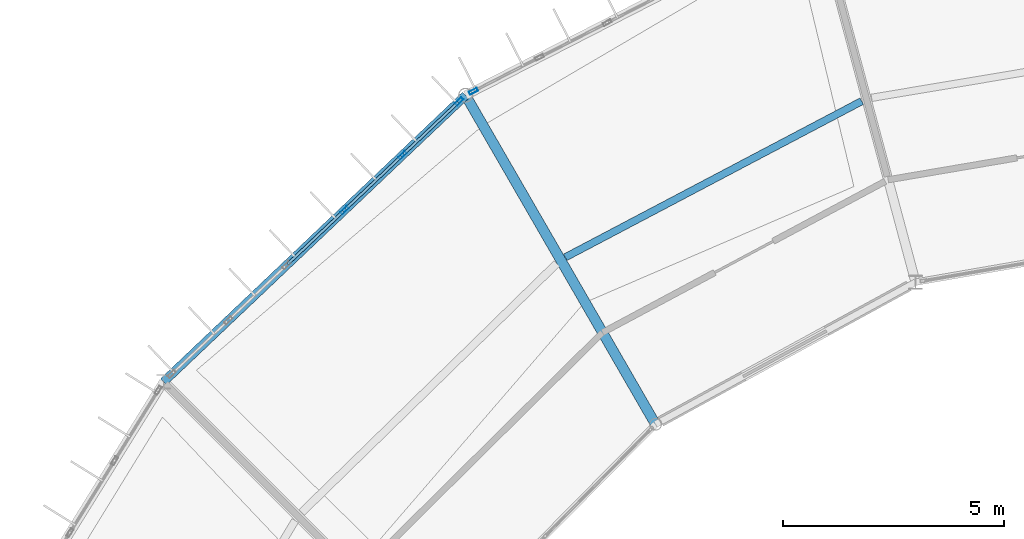
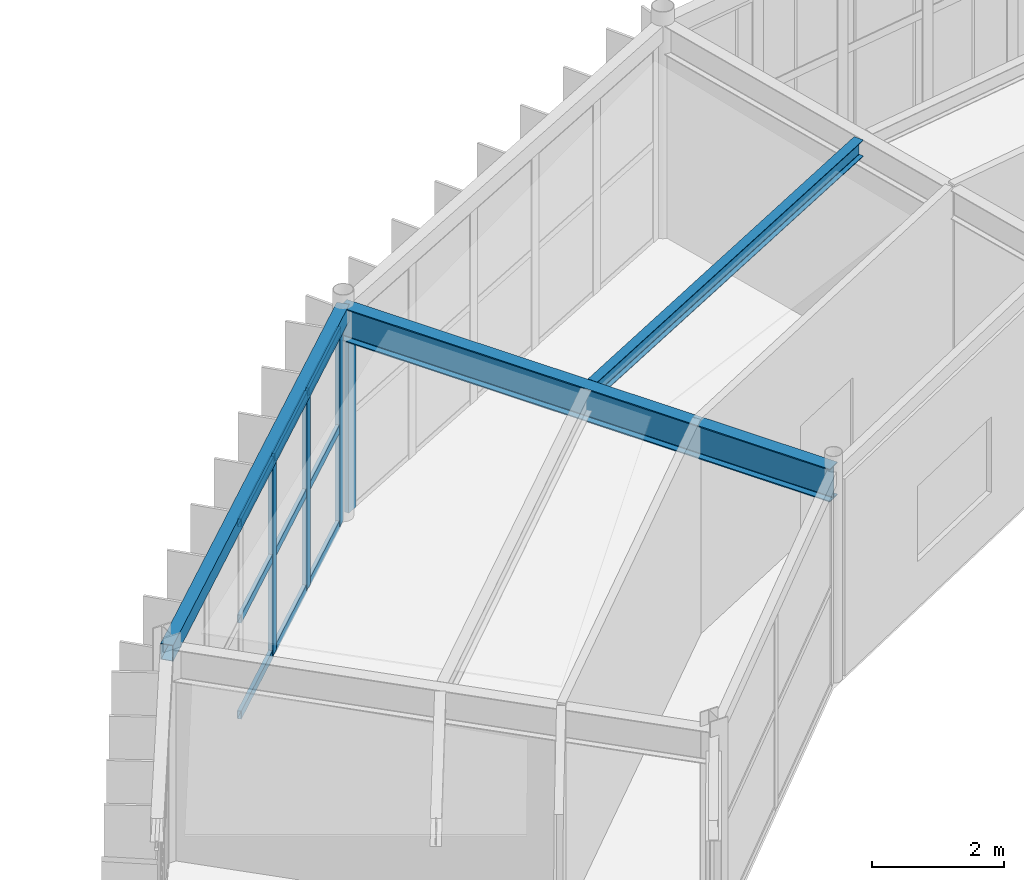
# One storey, part 77 of 148: 13 members, 3 beams, 2 elements without a shape of their own.
"""IFC4 building model written with IfcOpenShell, lengths in metres."""

from ifc_helpers import new_model, si_unit, direction, frame, origin, origin_2d, place, context, subcontext, project, spatial, hollow_rectangle, i_section, extrude, material, material_profile, profile_set, type_object, element, aggregate, save


model = new_model("IFC4")

# Units and contexts
model_context = context("Model", 3, precision=1e-05, world=origin(), true_north=direction((0.0, 1.0)))
body_context = subcontext(model_context, "Body", "Model", "MODEL_VIEW")
ifc_project = project(units=[si_unit("LENGTHUNIT", "METRE"), si_unit("AREAUNIT", "SQUARE_METRE"), si_unit("VOLUMEUNIT", "CUBIC_METRE"), si_unit("PLANEANGLEUNIT", "RADIAN"), si_unit("MASSUNIT", "GRAM", prefix="KILO")], contexts=[model_context])

# Site, building, storey
site_placement = place(None, origin())
site = spatial("IfcSite", under=ifc_project, at=site_placement, CompositionType="ELEMENT")
building_placement = place(site_placement, origin())
building = spatial("IfcBuilding", under=site, at=building_placement, Name="Karori Crest Natural Sciences Institute", CompositionType="ELEMENT")
storey_placement = place(building_placement, frame((0.0, 0.0, 4.89990234375)))
storey = spatial("IfcBuildingStorey", under=building, at=storey_placement, Name="L01", CompositionType="ELEMENT", Elevation=4.89990234375)

# Beams
ifc_material_1 = material(Name="Structural steel AS/NZS 3679.1 Grade 350", Category="steel")
ifc_material_profile_1 = material_profile(ifc_material_1, i_section(OverallWidth=0.22900390625, OverallDepth=0.612060546875, WebThickness=0.011962890625, FlangeThickness=0.01953125, FilletRadius=0.013916015625, at=origin_2d()), Name="610UB125")
ifc_profile_set_1 = profile_set([ifc_material_profile_1], Name="Structural steel AS/NZS 3679.1 Grade 350")
beam_type_1 = type_object("IfcBeamType", Name="BT-04", PredefinedType="BEAM", material=ifc_profile_set_1)
beam_1_placement = place(storey_placement, frame((54.199951171875, 77.785888671875, 3.634033203125), z_axis=(-0.499995216735, 0.866028165386, 0.0), x_axis=(-0.866028165386, -0.499995216735, 0.0)))
element("IfcBeam", 1, at=beam_1_placement, inside=storey, type_object=beam_type_1, Name="Beam B-0213", PredefinedType="BEAM", context=body_context, shape_type="SweptSolid", body=[
    extrude(i_section(OverallWidth=0.22900390625, OverallDepth=0.612060546875, WebThickness=0.011962890625, FlangeThickness=0.01953125, FilletRadius=0.013916015625, at=origin_2d()), origin(), (0.0, 0.0, 1.0), 8.60009765625),
])
ifc_material_profile_2 = material_profile(ifc_material_1, i_section(OverallWidth=0.166015625, OverallDepth=0.306884765625, WebThickness=0.006591796875, FlangeThickness=0.01171875, FilletRadius=0.010986328125, at=origin_2d()), Name="310UB46.2")
ifc_profile_set_2 = profile_set([ifc_material_profile_2], Name="Structural steel AS/NZS 3679.1 Grade 350")
beam_type_2 = type_object("IfcBeamType", Name="BT-09", PredefinedType="BEAM", material=ifc_profile_set_2)
beam_2_placement = place(storey_placement, frame((58.86572265625, 85.100341796875, 3.78662109375), z_axis=(-0.884748465601, -0.466068828197, 0.0), x_axis=(0.466068828197, -0.884748465601, 0.0)))
element("IfcBeam", 2, at=beam_2_placement, inside=storey, type_object=beam_type_2, Name="Beam B-0210", PredefinedType="BEAM", context=body_context, shape_type="SweptSolid", body=[
    extrude(i_section(OverallWidth=0.166015625, OverallDepth=0.306884765625, WebThickness=0.006591796875, FlangeThickness=0.01171875, FilletRadius=0.010986328125, at=origin_2d()), origin(), (0.0, 0.0, 1.0), 7.58349609375),
])
ifc_material_2 = material(Name="Hollow structural steel AS/NZS 1163 Grade C350", Category="steel")
ifc_material_profile_3 = material_profile(ifc_material_2, hollow_rectangle(XDim=0.199951171875, YDim=0.300048828125, WallThickness=0.010009765625, at=origin_2d()), Name="RHS300x200x10")
ifc_profile_set_3 = profile_set([ifc_material_profile_3], Name="Hollow structural steel AS/NZS 1163 Grade C350")
beam_type_3 = type_object("IfcBeamType", Name="BT-15", PredefinedType="SPANDREL", material=ifc_profile_set_3)
beam_3_placement = place(storey_placement, frame((49.89990234375, 85.23388671875, 3.7900390625), z_axis=(-0.72546900706, -0.688254836376, 0.0), x_axis=(0.688254836376, -0.72546900706, 0.0)))
element("IfcBeam", 3, at=beam_3_placement, inside=storey, type_object=beam_type_3, Name="Beam B-0211", PredefinedType="SPANDREL", context=body_context, shape_type="SweptSolid", body=[
    extrude(hollow_rectangle(XDim=0.199951171875, YDim=0.300048828125, WallThickness=0.010009765625, at=origin_2d()), origin(), (0.0, 0.0, 1.0), 9.420654296875),
])

# Curtain wall, member
ifc_material_3 = material(Name="Anodised architectural aluminium 6063-T6", Category="aluminium")
curtain_wall_type_1 = type_object("IfcCurtainWallType", Name="CWT-08", PredefinedType="NOTDEFINED", material=ifc_material_3)
curtain_wall_1_placement = place(storey_placement, origin())
curtain_wall_1 = element("IfcCurtainWall", 4, at=curtain_wall_1_placement, inside=storey, type_object=curtain_wall_type_1, Name="Curtain wall CW-0041", PredefinedType="NOTDEFINED")
ifc_material_profile_4 = material_profile(ifc_material_3, hollow_rectangle(XDim=0.074951171875, YDim=0.199951171875, WallThickness=0.0048828125, at=origin_2d()), Name="CWM200x75x5")
ifc_profile_set_4 = profile_set([ifc_material_profile_4], Name="Anodised architectural aluminium 6063-T6")
member_type_1 = type_object("IfcMemberType", Name="CWM-02", PredefinedType="MULLION", material=ifc_profile_set_4)
member_1_placement = place(storey_placement, frame((50.07568359375, 85.32373046875, 0.0), z_axis=(0.0, 0.0, 1.0), x_axis=(-0.455832988828, 0.890065326982, 0.0)))
member_1 = element("IfcMember", 5, at=member_1_placement, type_object=member_type_1, Name="CW-0041 mullion 1", PredefinedType="MULLION", context=body_context, shape_type="SweptSolid", body=[
    extrude(hollow_rectangle(XDim=0.074951171875, YDim=0.199951171875, WallThickness=0.0048828125, at=origin_2d()), origin(), (0.0, 0.0, 1.0), 3.625),
])
aggregate(curtain_wall_1, [member_1])

# Curtain wall, members
curtain_wall_type_2 = type_object("IfcCurtainWallType", Name="CWT-09", PredefinedType="NOTDEFINED", material=ifc_material_3)
curtain_wall_2_placement = place(storey_placement, origin())
curtain_wall_2 = element("IfcCurtainWall", 6, at=curtain_wall_2_placement, inside=storey, type_object=curtain_wall_type_2, Name="Curtain wall CW-0042", PredefinedType="NOTDEFINED")
member_2_placement = place(storey_placement, frame((47.158203125, 82.632568359375, 0.0), z_axis=(0.0, 0.0, 1.0), x_axis=(-0.688250886925, 0.725472753897, 0.0)))
member_2 = element("IfcMember", 7, at=member_2_placement, type_object=member_type_1, Name="CW-0042 mullion 4", PredefinedType="MULLION", context=body_context, shape_type="SweptSolid", body=[
    extrude(hollow_rectangle(XDim=0.074951171875, YDim=0.199951171875, WallThickness=0.0048828125, at=origin_2d()), origin(), (0.0, 0.0, 1.0), 3.625),
])
member_3_placement = place(storey_placement, frame((48.470947265625, 83.878173828125, 0.0), z_axis=(0.0, 0.0, 1.0), x_axis=(-0.688250886925, 0.725472753897, 0.0)))
member_3 = element("IfcMember", 8, at=member_3_placement, type_object=member_type_1, Name="CW-0042 mullion 5", PredefinedType="MULLION", context=body_context, shape_type="SweptSolid", body=[
    extrude(hollow_rectangle(XDim=0.074951171875, YDim=0.199951171875, WallThickness=0.0048828125, at=origin_2d()), origin(), (0.0, 0.0, 1.0), 3.625),
])
member_4_placement = place(storey_placement, frame((49.756591796875, 85.097900390625, 0.0), z_axis=(0.0, 0.0, 1.0), x_axis=(-0.688250886925, 0.725472753897, 0.0)))
member_4 = element("IfcMember", 9, at=member_4_placement, type_object=member_type_1, Name="CW-0042 mullion 6", PredefinedType="MULLION", context=body_context, shape_type="SweptSolid", body=[
    extrude(hollow_rectangle(XDim=0.074951171875, YDim=0.199951171875, WallThickness=0.0048828125, at=origin_2d()), origin(), (0.0, 0.0, 1.0), 3.625),
])
ifc_material_profile_5 = material_profile(ifc_material_3, hollow_rectangle(XDim=0.06494140625, YDim=0.14990234375, WallThickness=0.00390625, at=origin_2d()), Name="CWT150x65x4")
ifc_profile_set_5 = profile_set([ifc_material_profile_5], Name="Anodised architectural aluminium 6063-T6")
member_type_2 = type_object("IfcMemberType", Name="CWT-TR2", PredefinedType="USERDEFINED", material=ifc_profile_set_5)
member_5_placement = place(storey_placement, frame((45.87255859375, 81.412841796875, 0.03271484375), z_axis=(0.725371797376, 0.688357287731, 0.0), x_axis=(-0.688357287731, 0.725371797376, 0.0)))
member_5 = element("IfcMember", 10, at=member_5_placement, type_object=member_type_2, Name="CW-0042 transom 3.1", ObjectType="TRANSOM", PredefinedType="USERDEFINED", context=body_context, shape_type="SweptSolid", body=[
    extrude(hollow_rectangle(XDim=0.06494140625, YDim=0.14990234375, WallThickness=0.00390625, at=origin_2d()), origin(), (0.0, 0.0, 1.0), 1.734619140625),
])
member_6_placement = place(storey_placement, frame((45.87255859375, 81.412841796875, 1.8125), z_axis=(0.725371797376, 0.688357287731, 0.0), x_axis=(-0.688357287731, 0.725371797376, 0.0)))
member_6 = element("IfcMember", 11, at=member_6_placement, type_object=member_type_2, Name="CW-0042 transom 3.2", ObjectType="TRANSOM", PredefinedType="USERDEFINED", context=body_context, shape_type="SweptSolid", body=[
    extrude(hollow_rectangle(XDim=0.06494140625, YDim=0.14990234375, WallThickness=0.00390625, at=origin_2d()), origin(), (0.0, 0.0, 1.0), 1.734619140625),
])
member_7_placement = place(storey_placement, frame((45.87255859375, 81.412841796875, 3.592529296875), z_axis=(0.725371797376, 0.688357287731, 0.0), x_axis=(-0.688357287731, 0.725371797376, 0.0)))
member_7 = element("IfcMember", 12, at=member_7_placement, type_object=member_type_2, Name="CW-0042 transom 3.3", ObjectType="TRANSOM", PredefinedType="USERDEFINED", context=body_context, shape_type="SweptSolid", body=[
    extrude(hollow_rectangle(XDim=0.06494140625, YDim=0.14990234375, WallThickness=0.00390625, at=origin_2d()), origin(), (0.0, 0.0, 1.0), 1.734619140625),
])
member_8_placement = place(storey_placement, frame((47.185302734375, 82.658447265625, 0.03271484375), z_axis=(0.725508743125, 0.688212949347, 0.0), x_axis=(-0.688212949347, 0.725508743125, 0.0)))
member_8 = element("IfcMember", 13, at=member_8_placement, type_object=member_type_2, Name="CW-0042 transom 4.1", ObjectType="TRANSOM", PredefinedType="USERDEFINED", context=body_context, shape_type="SweptSolid", body=[
    extrude(hollow_rectangle(XDim=0.06494140625, YDim=0.14990234375, WallThickness=0.00390625, at=origin_2d()), origin(), (0.0, 0.0, 1.0), 1.734619140625),
])
member_9_placement = place(storey_placement, frame((47.185302734375, 82.658447265625, 1.8125), z_axis=(0.725508743125, 0.688212949347, 0.0), x_axis=(-0.688212949347, 0.725508743125, 0.0)))
member_9 = element("IfcMember", 14, at=member_9_placement, type_object=member_type_2, Name="CW-0042 transom 4.2", ObjectType="TRANSOM", PredefinedType="USERDEFINED", context=body_context, shape_type="SweptSolid", body=[
    extrude(hollow_rectangle(XDim=0.06494140625, YDim=0.14990234375, WallThickness=0.00390625, at=origin_2d()), origin(), (0.0, 0.0, 1.0), 1.734619140625),
])
member_10_placement = place(storey_placement, frame((47.185302734375, 82.658447265625, 3.592529296875), z_axis=(0.725508743125, 0.688212949347, 0.0), x_axis=(-0.688212949347, 0.725508743125, 0.0)))
member_10 = element("IfcMember", 15, at=member_10_placement, type_object=member_type_2, Name="CW-0042 transom 4.3", ObjectType="TRANSOM", PredefinedType="USERDEFINED", context=body_context, shape_type="SweptSolid", body=[
    extrude(hollow_rectangle(XDim=0.06494140625, YDim=0.14990234375, WallThickness=0.00390625, at=origin_2d()), origin(), (0.0, 0.0, 1.0), 1.734619140625),
])
member_11_placement = place(storey_placement, frame((48.498291015625, 83.904052734375, 0.03271484375), z_axis=(0.725491325222, 0.6882313107, 0.0), x_axis=(-0.6882313107, 0.725491325222, 0.0)))
member_11 = element("IfcMember", 16, at=member_11_placement, type_object=member_type_2, Name="CW-0042 transom 5.1", ObjectType="TRANSOM", PredefinedType="USERDEFINED", context=body_context, shape_type="SweptSolid", body=[
    extrude(hollow_rectangle(XDim=0.06494140625, YDim=0.14990234375, WallThickness=0.00390625, at=origin_2d()), origin(), (0.0, 0.0, 1.0), 1.697021484375),
])
member_12_placement = place(storey_placement, frame((48.498291015625, 83.904052734375, 1.8125), z_axis=(0.725491325222, 0.6882313107, 0.0), x_axis=(-0.6882313107, 0.725491325222, 0.0)))
member_12 = element("IfcMember", 17, at=member_12_placement, type_object=member_type_2, Name="CW-0042 transom 5.2", ObjectType="TRANSOM", PredefinedType="USERDEFINED", context=body_context, shape_type="SweptSolid", body=[
    extrude(hollow_rectangle(XDim=0.06494140625, YDim=0.14990234375, WallThickness=0.00390625, at=origin_2d()), origin(), (0.0, 0.0, 1.0), 1.697021484375),
])
member_13_placement = place(storey_placement, frame((48.498291015625, 83.904052734375, 3.592529296875), z_axis=(0.725491325222, 0.6882313107, 0.0), x_axis=(-0.6882313107, 0.725491325222, 0.0)))
member_13 = element("IfcMember", 18, at=member_13_placement, type_object=member_type_2, Name="CW-0042 transom 5.3", ObjectType="TRANSOM", PredefinedType="USERDEFINED", context=body_context, shape_type="SweptSolid", body=[
    extrude(hollow_rectangle(XDim=0.06494140625, YDim=0.14990234375, WallThickness=0.00390625, at=origin_2d()), origin(), (0.0, 0.0, 1.0), 1.697021484375),
])
aggregate(curtain_wall_2, [member_2, member_3, member_4, member_5, member_6, member_7, member_8, member_9, member_10, member_11, member_12, member_13])

save(model, "model.ifc")
